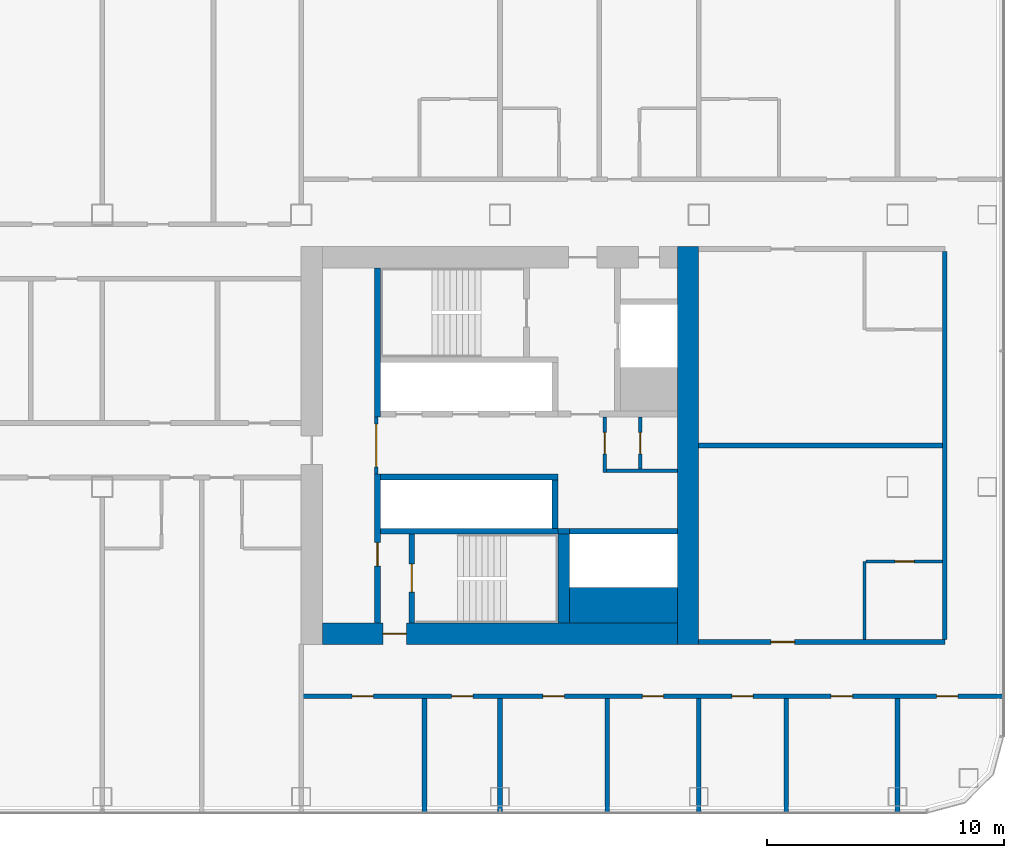
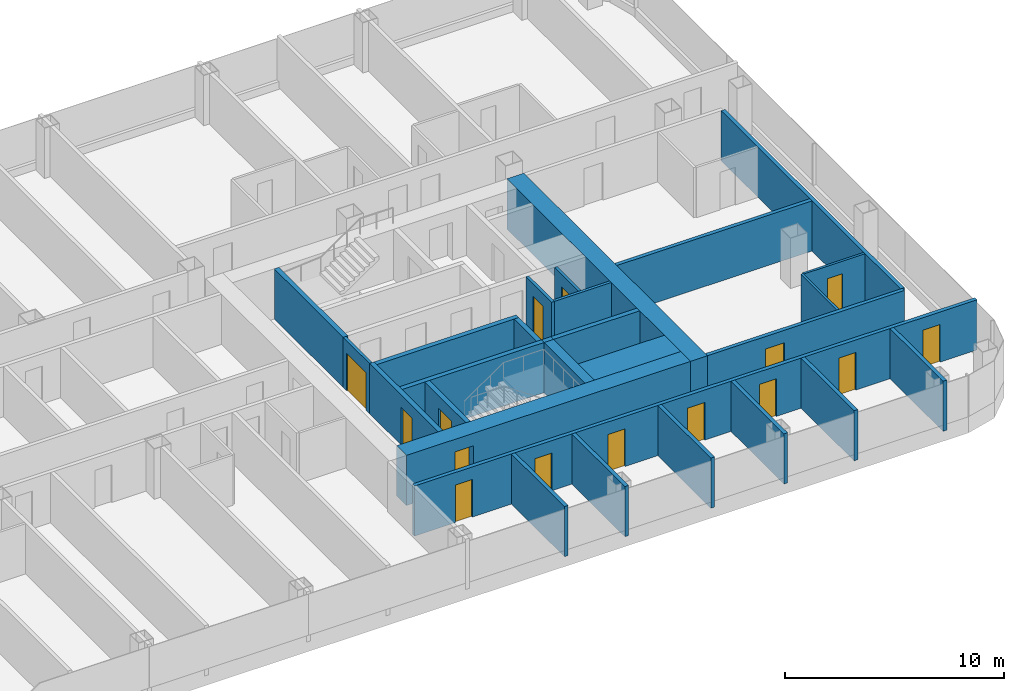
# One storey, part 19 of 29: 28 walls, 15 doors, 15 openings.
"""IFC4 building model written with IfcOpenShell, lengths in metres."""

from ifc_helpers import new_model, si_unit, direction, frame, frame_2d, origin, place, context, subcontext, project, spatial, rectangle, extrude, material, layer, layer_set, type_object, element, fill, save


model = new_model("IFC4")

# Units and contexts
model_context = context("Model", 3, precision=1e-05, world=origin(), true_north=direction((0.0, 1.0)))
body_context = subcontext(model_context, "Body", "Model", "MODEL_VIEW")
ifc_project = project(units=[si_unit("LENGTHUNIT", "METRE"), si_unit("AREAUNIT", "SQUARE_METRE"), si_unit("VOLUMEUNIT", "CUBIC_METRE"), si_unit("PLANEANGLEUNIT", "RADIAN"), si_unit("MASSUNIT", "GRAM", prefix="KILO")], contexts=[model_context])

# Site, building, storey
site_placement = place(None, origin())
site = spatial("IfcSite", under=ifc_project, at=site_placement, CompositionType="ELEMENT")
building_placement = place(site_placement, origin())
building = spatial("IfcBuilding", under=site, at=building_placement, Name="Hakoniwa Tower and Hamabe Station Hall", CompositionType="ELEMENT")
storey_placement = place(building_placement, frame((0.0, 0.0, 97.800048828125)))
storey = spatial("IfcBuildingStorey", under=building, at=storey_placement, Name="L27", CompositionType="ELEMENT", Elevation=97.800048828125)

# Wall, opening, door
ifc_material_1 = material(Name="Gypsum board partition", Category="gypsum")
ifc_layer_1 = layer(ifc_material_1, 0.125)
ifc_layer_set_1 = layer_set([ifc_layer_1], Name="Bathroom Partition 125")
wall_type_1 = type_object("IfcWallType", Name="Bathroom Partition 125", PredefinedType="PARTITIONING", material=ifc_layer_set_1)
wall_1_placement = place(storey_placement, frame((40.66259765625, -4.89990234375, 0.0), z_axis=(0.0, 0.0, 1.0), x_axis=(1.0, 0.0, 0.0)))
wall_1 = element("IfcWall", 1, at=wall_1_placement, inside=storey, type_object=wall_type_1, Name="GW-L27-006", PredefinedType="PARTITIONING", context=body_context, shape_type="SweptSolid", body=[
    extrude(rectangle(XDim=3.2373046875, YDim=0.125, at=frame_2d((1.61865234375, 0.0))), origin(), (0.0, 0.0, 1.0), 2.800048828125),
])
opening_1_placement = place(wall_1_placement, frame((1.237548828125, 0.0, 0.0)))
opening_1 = element("IfcOpeningElement", 2, at=opening_1_placement, cuts=wall_1, Name="Opening GD-G2C1-18", PredefinedType="OPENING", context=body_context, shape_type="SweptSolid", body=[
    extrude(rectangle(XDim=0.800048828125, YDim=2.10009765625, at=frame_2d((0.39990234375, 1.050048828125))), frame((0.0, 0.072509765625, 0.0), z_axis=(0.0, -1.0, 0.0), x_axis=(1.0, 0.0, 0.0)), (0.0, 0.0, 1.0), 0.14501953125),
])
ifc_material_2 = material(Name="Timber door leaf", Category="wood")
door_type_1 = type_object("IfcDoorType", Name="Bathroom Door 800", OperationType="SINGLE_SWING_LEFT", PredefinedType="DOOR", material=ifc_material_2)
door_1_placement = place(opening_1_placement, origin())
door_1 = element("IfcDoor", 3, at=door_1_placement, inside=storey, type_object=door_type_1, Name="Door GD-G2C1-18", OperationType="SINGLE_SWING_LEFT", OverallHeight=2.10009765625, OverallWidth=0.800048828125, PredefinedType="DOOR", context=body_context, shape_type="SweptSolid", body=[
    extrude(rectangle(XDim=0.800048828125, YDim=2.10009765625, at=frame_2d((0.39990234375, 1.050048828125))), frame((0.0, 0.02490234375, 0.0), z_axis=(0.0, -1.0, 0.0), x_axis=(1.0, 0.0, 0.0)), (0.0, 0.0, 1.0), 0.050048828125),
])
fill(opening_1, door_1)

# Wall
wall_2_placement = place(storey_placement, frame((40.60009765625, -8.199951171875, 0.0), z_axis=(0.0, 0.0, 1.0), x_axis=(0.0, 1.0, 0.0)))
element("IfcWall", 4, at=wall_2_placement, inside=storey, type_object=wall_type_1, Name="GW-L27-099", PredefinedType="PARTITIONING", context=body_context, shape_type="SweptSolid", body=[
    extrude(rectangle(XDim=3.300048828125, YDim=0.125, at=frame_2d((1.64990234375, 0.0))), origin(), (0.0, 0.0, 1.0), 2.800048828125),
])

# Wall, opening, door
ifc_material_3 = material(Name="Gypsum board partition")
ifc_layer_2 = layer(ifc_material_3, 0.14990234375)
ifc_layer_set_2 = layer_set([ifc_layer_2], Name="CORE PARTITION 150 EI 60")
wall_type_2 = type_object("IfcWallType", Name="CORE PARTITION 150 EI 60", PredefinedType="PARTITIONING", material=ifc_layer_set_2)
wall_3_placement = place(storey_placement, frame((19.97509765625, -1.199951171875, 0.0), z_axis=(0.0, 0.0, 1.0), x_axis=(0.0, 1.0, 0.0)))
wall_3 = element("IfcWall", 5, at=wall_3_placement, inside=storey, type_object=wall_type_2, Name="Core partition PL0 east", PredefinedType="PARTITIONING", context=body_context, shape_type="SweptSolid", body=[
    extrude(rectangle(XDim=2.39990234375, YDim=0.14990234375, at=frame_2d((1.199951171875, 0.0))), origin(), (0.0, 0.0, 1.0), 2.800048828125),
])
opening_2_placement = place(wall_3_placement, frame((0.300048828125, 0.0, 0.0)))
opening_2 = element("IfcOpeningElement", 6, at=opening_2_placement, cuts=wall_3, Name="Opening CD-E-LP0-18", PredefinedType="OPENING", context=body_context, shape_type="SweptSolid", body=[
    extrude(rectangle(XDim=1.800048828125, YDim=2.10009765625, at=frame_2d((0.89990234375, 1.050048828125))), frame((0.0, 0.0849609375, 0.0), z_axis=(0.0, -1.0, 0.0), x_axis=(1.0, 0.0, 0.0)), (0.0, 0.0, 1.0), 0.169921875),
])
ifc_material_4 = material(Name="Steel fire door", Category="steel")
door_type_2 = type_object("IfcDoorType", Name="CORE DOOR 1800 FD60", OperationType="DOUBLE_DOOR_SINGLE_SWING", PredefinedType="DOOR", material=ifc_material_4)
door_2_placement = place(opening_2_placement, origin())
door_2 = element("IfcDoor", 7, at=door_2_placement, inside=storey, type_object=door_type_2, Name="Lift lobby partition door", OperationType="DOUBLE_DOOR_SINGLE_SWING", OverallHeight=2.10009765625, OverallWidth=1.800048828125, PredefinedType="DOOR", context=body_context, shape_type="SweptSolid", body=[
    extrude(rectangle(XDim=1.800048828125, YDim=2.10009765625, at=frame_2d((0.89990234375, 1.050048828125))), frame((0.0, 0.02490234375, 0.0), z_axis=(0.0, -1.0, 0.0), x_axis=(1.0, 0.0, 0.0)), (0.0, 0.0, 1.0), 0.050048828125),
])
fill(opening_2, door_2)

wall_4_placement = place(storey_placement, frame((29.625, -1.14990234375, 0.0), z_axis=(0.0, 0.0, 1.0), x_axis=(0.0, 1.0, 0.0)))
wall_4 = element("IfcWall", 8, at=wall_4_placement, inside=storey, type_object=wall_type_2, Name="Core partition PW0 east", PredefinedType="PARTITIONING", context=body_context, shape_type="SweptSolid", body=[
    extrude(rectangle(XDim=2.349853515625, YDim=0.14990234375, at=frame_2d((1.1748046875, 0.0))), origin(), (0.0, 0.0, 1.0), 2.800048828125),
])
opening_3_placement = place(wall_4_placement, frame((0.800048828125, 0.0, 0.0)))
opening_3 = element("IfcOpeningElement", 9, at=opening_3_placement, cuts=wall_4, Name="Opening CD-E-RM1-9", PredefinedType="OPENING", context=body_context, shape_type="SweptSolid", body=[
    extrude(rectangle(XDim=0.89990234375, YDim=2.10009765625, at=frame_2d((0.449951171875, 1.050048828125))), frame((0.0, 0.0849609375, 0.0), z_axis=(0.0, -1.0, 0.0), x_axis=(1.0, 0.0, 0.0)), (0.0, 0.0, 1.0), 0.169921875),
])
ifc_material_5 = material(Name="Steel fire door", Category="steel")
door_type_3 = type_object("IfcDoorType", Name="CORE DOOR 900 FD30", OperationType="NOTDEFINED", PredefinedType="DOOR", material=ifc_material_5)
door_3_placement = place(opening_3_placement, origin())
door_3 = element("IfcDoor", 10, at=door_3_placement, inside=storey, type_object=door_type_3, Name="Store room door", OperationType="SINGLE_SWING_LEFT", OverallHeight=2.10009765625, OverallWidth=0.89990234375, PredefinedType="DOOR", context=body_context, shape_type="SweptSolid", body=[
    extrude(rectangle(XDim=0.89990234375, YDim=2.10009765625, at=frame_2d((0.449951171875, 1.050048828125))), frame((0.0, 0.02490234375, 0.0), z_axis=(0.0, -1.0, 0.0), x_axis=(1.0, 0.0, 0.0)), (0.0, 0.0, 1.0), 0.050048828125),
])
fill(opening_3, door_3)

# Wall
wall_5_placement = place(storey_placement, frame((29.699951171875, -1.074951171875, 0.0), z_axis=(0.0, 0.0, 1.0), x_axis=(1.0, 0.0, 0.0)))
element("IfcWall", 11, at=wall_5_placement, inside=storey, type_object=wall_type_2, Name="Core partition PS east", PredefinedType="PARTITIONING", context=body_context, shape_type="SweptSolid", body=[
    extrude(rectangle(XDim=3.0, YDim=0.14990234375, at=frame_2d((1.5, 0.0))), origin(), (0.0, 0.0, 1.0), 2.800048828125),
])

# Wall, opening, door
wall_6_placement = place(storey_placement, frame((31.125, -1.0, 0.0), z_axis=(0.0, 0.0, 1.0), x_axis=(0.0, 1.0, 0.0)))
wall_6 = element("IfcWall", 12, at=wall_6_placement, inside=storey, type_object=wall_type_2, Name="Core partition PW1 east", PredefinedType="PARTITIONING", context=body_context, shape_type="SweptSolid", body=[
    extrude(rectangle(XDim=2.199951171875, YDim=0.14990234375, at=frame_2d((1.10009765625, 0.0))), origin(), (0.0, 0.0, 1.0), 2.800048828125),
])
opening_4_placement = place(wall_6_placement, frame((0.64990234375, 0.0, 0.0)))
opening_4 = element("IfcOpeningElement", 13, at=opening_4_placement, cuts=wall_6, Name="Opening CD-E-RM2-9", PredefinedType="OPENING", context=body_context, shape_type="SweptSolid", body=[
    extrude(rectangle(XDim=0.89990234375, YDim=2.10009765625, at=frame_2d((0.449951171875, 1.050048828125))), frame((0.0, 0.0849609375, 0.0), z_axis=(0.0, -1.0, 0.0), x_axis=(1.0, 0.0, 0.0)), (0.0, 0.0, 1.0), 0.169921875),
])
door_4_placement = place(opening_4_placement, origin())
door_4 = element("IfcDoor", 14, at=door_4_placement, inside=storey, type_object=door_type_3, Name="Store room door", OperationType="SINGLE_SWING_LEFT", OverallHeight=2.10009765625, OverallWidth=0.89990234375, PredefinedType="DOOR", context=body_context, shape_type="SweptSolid", body=[
    extrude(rectangle(XDim=0.89990234375, YDim=2.10009765625, at=frame_2d((0.449951171875, 1.050048828125))), frame((0.0, 0.02490234375, 0.0), z_axis=(0.0, -1.0, 0.0), x_axis=(1.0, 0.0, 0.0)), (0.0, 0.0, 1.0), 0.050048828125),
])
fill(opening_4, door_4)

# Wall
ifc_material_6 = material(Name="Concrete C72", Category="concrete")
ifc_layer_3 = layer(ifc_material_6, 0.89990234375)
ifc_layer_set_3 = layer_set([ifc_layer_3], Name="CORE WALL 900 C72")
wall_type_3 = type_object("IfcWallType", Name="CORE WALL 900 C72", PredefinedType="SHEAR", material=ifc_layer_set_3)
wall_7_placement = place(storey_placement, frame((33.14990234375, -8.39990234375, 0.0), z_axis=(0.0, 0.0, 1.0), x_axis=(0.0, 1.0, 0.0)))
element("IfcWall", 15, at=wall_7_placement, inside=storey, type_object=wall_type_3, Name="Core wall OUTER east", PredefinedType="SHEAR", context=body_context, shape_type="SweptSolid", body=[
    extrude(rectangle(XDim=16.7998046875, YDim=0.89990234375, at=frame_2d((8.39990234375, 0.0))), origin(), (0.0, 0.0, 1.0), 2.800048828125),
])

# Wall, opening, door
wall_8_placement = place(storey_placement, frame((17.699951171875, -7.949951171875, 0.0), z_axis=(0.0, 0.0, 1.0), x_axis=(1.0, 0.0, 0.0)))
wall_8 = element("IfcWall", 16, at=wall_8_placement, inside=storey, type_object=wall_type_3, Name="Core wall SOUTH east", PredefinedType="SHEAR", context=body_context, shape_type="SweptSolid", body=[
    extrude(rectangle(XDim=15.0, YDim=0.89990234375, at=frame_2d((7.5, 0.0))), origin(), (0.0, 0.0, 1.0), 2.800048828125),
])
opening_5_placement = place(wall_8_placement, frame((2.550048828125, 0.0, 0.0)))
opening_5 = element("IfcOpeningElement", 17, at=opening_5_placement, cuts=wall_8, Name="Opening CD-E-FS3-10", PredefinedType="OPENING", context=body_context, shape_type="SweptSolid", body=[
    extrude(rectangle(XDim=1.0, YDim=2.10009765625, at=frame_2d((0.5, 1.050048828125))), frame((0.0, 0.4599609375, 0.0), z_axis=(0.0, -1.0, 0.0), x_axis=(1.0, 0.0, 0.0)), (0.0, 0.0, 1.0), 0.919921875),
])
ifc_material_7 = material(Name="Steel fire door", Category="steel")
door_type_4 = type_object("IfcDoorType", Name="CORE DOOR 1000 FD60", OperationType="NOTDEFINED", PredefinedType="DOOR", material=ifc_material_7)
door_5_placement = place(opening_5_placement, origin())
door_5 = element("IfcDoor", 18, at=door_5_placement, inside=storey, type_object=door_type_4, Name="Stair vestibule door", OperationType="SINGLE_SWING_LEFT", OverallHeight=2.10009765625, OverallWidth=1.0, PredefinedType="DOOR", context=body_context, shape_type="SweptSolid", body=[
    extrude(rectangle(XDim=1.0, YDim=2.10009765625, at=frame_2d((0.5, 1.050048828125))), frame((0.0, 0.02490234375, 0.0), z_axis=(0.0, -1.0, 0.0), x_axis=(1.0, 0.0, 0.0)), (0.0, 0.0, 1.0), 0.050048828125),
])
fill(opening_5, door_5)

# Walls
ifc_material_8 = material(Name="Concrete C72", Category="concrete")
ifc_layer_4 = layer(ifc_material_8, 1.5)
ifc_layer_set_4 = layer_set([ifc_layer_4], Name="CORE WEB WALL 1500 C72")
wall_type_4 = type_object("IfcWallType", Name="CORE WEB WALL 1500 C72", PredefinedType="SHEAR", material=ifc_layer_set_4)
wall_9_placement = place(storey_placement, frame((28.14990234375, -6.75, 0.0), z_axis=(0.0, 0.0, 1.0), x_axis=(1.0, 0.0, 0.0)))
element("IfcWall", 19, at=wall_9_placement, inside=storey, type_object=wall_type_4, Name="Core wall SER east", PredefinedType="SHEAR", context=body_context, shape_type="SweptSolid", body=[
    extrude(rectangle(XDim=4.550048828125, YDim=1.5, at=frame_2d((2.27490234375, 0.0))), origin(), (0.0, 0.0, 1.0), 2.800048828125),
])
ifc_material_9 = material(Name="Concrete C72", Category="concrete")
ifc_layer_5 = layer(ifc_material_9, 0.25)
ifc_layer_set_5 = layer_set([ifc_layer_5], Name="CORE WEB WALL 250 C72")
wall_type_5 = type_object("IfcWallType", Name="CORE WEB WALL 250 C72", PredefinedType="SHEAR", material=ifc_layer_set_5)
wall_10_placement = place(storey_placement, frame((20.02490234375, 1.199951171875, 0.0), z_axis=(0.0, 0.0, 1.0), x_axis=(0.0, 1.0, 0.0)))
element("IfcWall", 20, at=wall_10_placement, inside=storey, type_object=wall_type_5, Name="Core wall W1N east", PredefinedType="SHEAR", context=body_context, shape_type="SweptSolid", body=[
    extrude(rectangle(XDim=6.300048828125, YDim=0.25, at=frame_2d((3.14990234375, 0.0))), origin(), (0.0, 0.0, 1.0), 2.800048828125),
])

# Wall, opening, door
wall_11_placement = place(storey_placement, frame((20.02490234375, -7.5, 0.0), z_axis=(0.0, 0.0, 1.0), x_axis=(0.0, 1.0, 0.0)))
wall_11 = element("IfcWall", 21, at=wall_11_placement, inside=storey, type_object=wall_type_5, Name="Core wall W1S east", PredefinedType="SHEAR", context=body_context, shape_type="SweptSolid", body=[
    extrude(rectangle(XDim=6.300048828125, YDim=0.25, at=frame_2d((3.14990234375, 0.0))), origin(), (0.0, 0.0, 1.0), 2.800048828125),
])
opening_6_placement = place(wall_11_placement, frame((2.39990234375, 0.0, 0.0)))
opening_6 = element("IfcOpeningElement", 22, at=opening_6_placement, cuts=wall_11, Name="Opening CD-E-VS-10", PredefinedType="OPENING", context=body_context, shape_type="SweptSolid", body=[
    extrude(rectangle(XDim=1.0, YDim=2.10009765625, at=frame_2d((0.5, 1.050048828125))), frame((0.0, 0.135009765625, 0.0), z_axis=(0.0, -1.0, 0.0), x_axis=(1.0, 0.0, 0.0)), (0.0, 0.0, 1.0), 0.27001953125),
])
door_6_placement = place(opening_6_placement, origin())
door_6 = element("IfcDoor", 23, at=door_6_placement, inside=storey, type_object=door_type_4, Name="Stair vestibule door", OperationType="SINGLE_SWING_RIGHT", OverallHeight=2.10009765625, OverallWidth=1.0, PredefinedType="DOOR", context=body_context, shape_type="SweptSolid", body=[
    extrude(rectangle(XDim=1.0, YDim=2.10009765625, at=frame_2d((0.5, 1.050048828125))), frame((0.0, 0.02490234375, 0.0), z_axis=(0.0, -1.0, 0.0), x_axis=(1.0, 0.0, 0.0)), (0.0, 0.0, 1.0), 0.050048828125),
])
fill(opening_6, door_6)

# Walls
wall_12_placement = place(storey_placement, frame((20.14990234375, -1.324951171875, 0.0), z_axis=(0.0, 0.0, 1.0), x_axis=(1.0, 0.0, 0.0)))
element("IfcWall", 24, at=wall_12_placement, inside=storey, type_object=wall_type_5, Name="Core wall SF east", PredefinedType="SHEAR", context=body_context, shape_type="SweptSolid", body=[
    extrude(rectangle(XDim=7.5, YDim=0.25, at=frame_2d((3.75, 0.0))), origin(), (0.0, 0.0, 1.0), 2.800048828125),
])
wall_13_placement = place(storey_placement, frame((27.52490234375, -3.5, 0.0), z_axis=(0.0, 0.0, 1.0), x_axis=(0.0, 1.0, 0.0)))
element("IfcWall", 25, at=wall_13_placement, inside=storey, type_object=wall_type_5, Name="Core wall SE east", PredefinedType="SHEAR", context=body_context, shape_type="SweptSolid", body=[
    extrude(rectangle(XDim=2.050048828125, YDim=0.25, at=frame_2d((1.02490234375, 0.0))), origin(), (0.0, 0.0, 1.0), 2.800048828125),
])
wall_14_placement = place(storey_placement, frame((20.14990234375, -3.625, 0.0), z_axis=(0.0, 0.0, 1.0), x_axis=(1.0, 0.0, 0.0)))
element("IfcWall", 26, at=wall_14_placement, inside=storey, type_object=wall_type_5, Name="Core wall SR east", PredefinedType="SHEAR", context=body_context, shape_type="SweptSolid", body=[
    extrude(rectangle(XDim=7.5, YDim=0.25, at=frame_2d((3.75, 0.0))), origin(), (0.0, 0.0, 1.0), 2.800048828125),
])

# Wall, opening, door
wall_15_placement = place(storey_placement, frame((21.47509765625, -7.5, 0.0), z_axis=(0.0, 0.0, 1.0), x_axis=(0.0, 1.0, 0.0)))
wall_15 = element("IfcWall", 27, at=wall_15_placement, inside=storey, type_object=wall_type_5, Name="Core wall VE east", PredefinedType="SHEAR", context=body_context, shape_type="SweptSolid", body=[
    extrude(rectangle(XDim=3.75, YDim=0.25, at=frame_2d((1.875, 0.0))), origin(), (0.0, 0.0, 1.0), 2.800048828125),
])
opening_7_placement = place(wall_15_placement, frame((1.300048828125, 0.0, 0.0)))
opening_7 = element("IfcOpeningElement", 28, at=opening_7_placement, cuts=wall_15, Name="Opening CD-E-SS-12", PredefinedType="OPENING", context=body_context, shape_type="SweptSolid", body=[
    extrude(rectangle(XDim=1.199951171875, YDim=2.10009765625, at=frame_2d((0.60009765625, 1.050048828125))), frame((0.0, 0.135009765625, 0.0), z_axis=(0.0, -1.0, 0.0), x_axis=(1.0, 0.0, 0.0)), (0.0, 0.0, 1.0), 0.27001953125),
])
ifc_material_10 = material(Name="Steel fire door", Category="steel")
door_type_5 = type_object("IfcDoorType", Name="CORE DOOR 1200 FD60", OperationType="DOUBLE_DOOR_SINGLE_SWING", PredefinedType="DOOR", material=ifc_material_10)
door_7_placement = place(opening_7_placement, origin())
door_7 = element("IfcDoor", 29, at=door_7_placement, inside=storey, type_object=door_type_5, Name="Escape stair door", OperationType="DOUBLE_DOOR_SINGLE_SWING", OverallHeight=2.10009765625, OverallWidth=1.199951171875, PredefinedType="DOOR", context=body_context, shape_type="SweptSolid", body=[
    extrude(rectangle(XDim=1.199951171875, YDim=2.10009765625, at=frame_2d((0.60009765625, 1.050048828125))), frame((0.0, 0.02490234375, 0.0), z_axis=(0.0, -1.0, 0.0), x_axis=(1.0, 0.0, 0.0)), (0.0, 0.0, 1.0), 0.050048828125),
])
fill(opening_7, door_7)

# Walls
wall_16_placement = place(storey_placement, frame((28.14990234375, -3.625, 0.0), z_axis=(0.0, 0.0, 1.0), x_axis=(1.0, 0.0, 0.0)))
element("IfcWall", 30, at=wall_16_placement, inside=storey, type_object=wall_type_5, Name="Core wall SEF east", PredefinedType="SHEAR", context=body_context, shape_type="SweptSolid", body=[
    extrude(rectangle(XDim=4.550048828125, YDim=0.25, at=frame_2d((2.27490234375, 0.0))), origin(), (0.0, 0.0, 1.0), 2.800048828125),
])
wall_17_placement = place(storey_placement, frame((27.64990234375, -3.625, 0.0), z_axis=(0.0, 0.0, 1.0), x_axis=(1.0, 0.0, 0.0)))
element("IfcWall", 31, at=wall_17_placement, inside=storey, type_object=wall_type_5, Name="Core wall SRK east", PredefinedType="SHEAR", context=body_context, shape_type="SweptSolid", body=[
    extrude(rectangle(XDim=0.5, YDim=0.25, at=frame_2d((0.25, 0.0))), origin(), (0.0, 0.0, 1.0), 2.800048828125),
])
ifc_material_11 = material(Name="Concrete C72", Category="concrete")
ifc_layer_6 = layer(ifc_material_11, 0.5)
ifc_layer_set_6 = layer_set([ifc_layer_6], Name="CORE WEB WALL 500 C72")
wall_type_6 = type_object("IfcWallType", Name="CORE WEB WALL 500 C72", PredefinedType="SHEAR", material=ifc_layer_set_6)
wall_18_placement = place(storey_placement, frame((27.89990234375, -7.5, 0.0), z_axis=(0.0, 0.0, 1.0), x_axis=(0.0, 1.0, 0.0)))
element("IfcWall", 32, at=wall_18_placement, inside=storey, type_object=wall_type_6, Name="Core wall SSE east", PredefinedType="SHEAR", context=body_context, shape_type="SweptSolid", body=[
    extrude(rectangle(XDim=3.75, YDim=0.5, at=frame_2d((1.875, 0.0))), origin(), (0.0, 0.0, 1.0), 2.800048828125),
])

# Wall, openings, doors
ifc_material_12 = material(Name="Fire-rated gypsum board partition", Category="gypsum")
ifc_layer_7 = layer(ifc_material_12, 0.199951171875)
ifc_layer_set_7 = layer_set([ifc_layer_7], Name="Corridor Wall 200")
wall_type_7 = type_object("IfcWallType", Name="Corridor Wall 200", PredefinedType="PARTITIONING", material=ifc_layer_set_7)
wall_19_placement = place(storey_placement, frame((16.800048828125, -10.60009765625, 0.0), z_axis=(0.0, 0.0, 1.0), x_axis=(1.0, 0.0, 0.0)))
wall_19 = element("IfcWall", 33, at=wall_19_placement, inside=storey, type_object=wall_type_7, Name="GW-L27-002", PredefinedType="PARTITIONING", context=body_context, shape_type="SweptSolid", body=[
    extrude(rectangle(XDim=29.699951171875, YDim=0.199951171875, at=frame_2d((14.85009765625, 0.0))), origin(), (0.0, 0.0, 1.0), 2.800048828125),
])
opening_8_placement = place(wall_19_placement, frame((2.155029296875, 0.0, 0.0)))
opening_8 = element("IfcOpeningElement", 34, at=opening_8_placement, cuts=wall_19, Name="Opening GD-G2C1-08", PredefinedType="OPENING", context=body_context, shape_type="SweptSolid", body=[
    extrude(rectangle(XDim=0.89990234375, YDim=2.10009765625, at=frame_2d((0.449951171875, 1.050048828125))), frame((0.0, 0.10986328125, 0.0), z_axis=(0.0, -1.0, 0.0), x_axis=(1.0, 0.0, 0.0)), (0.0, 0.0, 1.0), 0.219970703125),
])
opening_9_placement = place(wall_19_placement, frame((6.35498046875, 0.0, 0.0)))
opening_9 = element("IfcOpeningElement", 35, at=opening_9_placement, cuts=wall_19, Name="Opening GD-G2C1-09", PredefinedType="OPENING", context=body_context, shape_type="SweptSolid", body=[
    extrude(rectangle(XDim=0.89990234375, YDim=2.10009765625, at=frame_2d((0.449951171875, 1.050048828125))), frame((0.0, 0.10986328125, 0.0), z_axis=(0.0, -1.0, 0.0), x_axis=(1.0, 0.0, 0.0)), (0.0, 0.0, 1.0), 0.219970703125),
])
opening_10_placement = place(wall_19_placement, frame((10.219970703125, 0.0, 0.0)))
opening_10 = element("IfcOpeningElement", 36, at=opening_10_placement, cuts=wall_19, Name="Opening GD-G2C1-10", PredefinedType="OPENING", context=body_context, shape_type="SweptSolid", body=[
    extrude(rectangle(XDim=0.89990234375, YDim=2.10009765625, at=frame_2d((0.449951171875, 1.050048828125))), frame((0.0, 0.10986328125, 0.0), z_axis=(0.0, -1.0, 0.0), x_axis=(1.0, 0.0, 0.0)), (0.0, 0.0, 1.0), 0.219970703125),
])
opening_11_placement = place(wall_19_placement, frame((14.419921875, 0.0, 0.0)))
opening_11 = element("IfcOpeningElement", 37, at=opening_11_placement, cuts=wall_19, Name="Opening GD-G2C1-11", PredefinedType="OPENING", context=body_context, shape_type="SweptSolid", body=[
    extrude(rectangle(XDim=0.89990234375, YDim=2.10009765625, at=frame_2d((0.449951171875, 1.050048828125))), frame((0.0, 0.10986328125, 0.0), z_axis=(0.0, -1.0, 0.0), x_axis=(1.0, 0.0, 0.0)), (0.0, 0.0, 1.0), 0.219970703125),
])
opening_12_placement = place(wall_19_placement, frame((18.199951171875, 0.0, 0.0)))
opening_12 = element("IfcOpeningElement", 38, at=opening_12_placement, cuts=wall_19, Name="Opening GD-G2C1-12", PredefinedType="OPENING", context=body_context, shape_type="SweptSolid", body=[
    extrude(rectangle(XDim=0.89990234375, YDim=2.10009765625, at=frame_2d((0.449951171875, 1.050048828125))), frame((0.0, 0.10986328125, 0.0), z_axis=(0.0, -1.0, 0.0), x_axis=(1.0, 0.0, 0.0)), (0.0, 0.0, 1.0), 0.219970703125),
])
opening_13_placement = place(wall_19_placement, frame((22.39990234375, 0.0, 0.0)))
opening_13 = element("IfcOpeningElement", 39, at=opening_13_placement, cuts=wall_19, Name="Opening GD-G2C1-13", PredefinedType="OPENING", context=body_context, shape_type="SweptSolid", body=[
    extrude(rectangle(XDim=0.89990234375, YDim=2.10009765625, at=frame_2d((0.449951171875, 1.050048828125))), frame((0.0, 0.10986328125, 0.0), z_axis=(0.0, -1.0, 0.0), x_axis=(1.0, 0.0, 0.0)), (0.0, 0.0, 1.0), 0.219970703125),
])
opening_14_placement = place(wall_19_placement, frame((26.85009765625, 0.0, 0.0)))
opening_14 = element("IfcOpeningElement", 40, at=opening_14_placement, cuts=wall_19, Name="Opening GD-G2C1-14", PredefinedType="OPENING", context=body_context, shape_type="SweptSolid", body=[
    extrude(rectangle(XDim=0.89990234375, YDim=2.10009765625, at=frame_2d((0.449951171875, 1.050048828125))), frame((0.0, 0.10986328125, 0.0), z_axis=(0.0, -1.0, 0.0), x_axis=(1.0, 0.0, 0.0)), (0.0, 0.0, 1.0), 0.219970703125),
])
ifc_material_13 = material(Name="Timber door leaf", Category="wood")
door_type_6 = type_object("IfcDoorType", Name="Service Door 900", OperationType="SINGLE_SWING_LEFT", PredefinedType="DOOR", material=ifc_material_13)
door_8_placement = place(opening_8_placement, origin())
door_8 = element("IfcDoor", 41, at=door_8_placement, inside=storey, type_object=door_type_6, Name="Door GD-G2C1-08", OperationType="SINGLE_SWING_RIGHT", OverallHeight=2.10009765625, OverallWidth=0.89990234375, PredefinedType="DOOR", context=body_context, shape_type="SweptSolid", body=[
    extrude(rectangle(XDim=0.89990234375, YDim=2.10009765625, at=frame_2d((0.449951171875, 1.050048828125))), frame((0.0, 0.02490234375, 0.0), z_axis=(0.0, -1.0, 0.0), x_axis=(1.0, 0.0, 0.0)), (0.0, 0.0, 1.0), 0.050048828125),
])
fill(opening_8, door_8)
door_9_placement = place(opening_9_placement, origin())
door_9 = element("IfcDoor", 42, at=door_9_placement, inside=storey, type_object=door_type_6, Name="Door GD-G2C1-09", OperationType="SINGLE_SWING_LEFT", OverallHeight=2.10009765625, OverallWidth=0.89990234375, PredefinedType="DOOR", context=body_context, shape_type="SweptSolid", body=[
    extrude(rectangle(XDim=0.89990234375, YDim=2.10009765625, at=frame_2d((0.449951171875, 1.050048828125))), frame((0.0, 0.02490234375, 0.0), z_axis=(0.0, -1.0, 0.0), x_axis=(1.0, 0.0, 0.0)), (0.0, 0.0, 1.0), 0.050048828125),
])
fill(opening_9, door_9)
door_10_placement = place(opening_10_placement, origin())
door_10 = element("IfcDoor", 43, at=door_10_placement, inside=storey, type_object=door_type_6, Name="Door GD-G2C1-10", OperationType="SINGLE_SWING_LEFT", OverallHeight=2.10009765625, OverallWidth=0.89990234375, PredefinedType="DOOR", context=body_context, shape_type="SweptSolid", body=[
    extrude(rectangle(XDim=0.89990234375, YDim=2.10009765625, at=frame_2d((0.449951171875, 1.050048828125))), frame((0.0, 0.02490234375, 0.0), z_axis=(0.0, -1.0, 0.0), x_axis=(1.0, 0.0, 0.0)), (0.0, 0.0, 1.0), 0.050048828125),
])
fill(opening_10, door_10)
door_11_placement = place(opening_11_placement, origin())
door_11 = element("IfcDoor", 44, at=door_11_placement, inside=storey, type_object=door_type_6, Name="Door GD-G2C1-11", OperationType="SINGLE_SWING_RIGHT", OverallHeight=2.10009765625, OverallWidth=0.89990234375, PredefinedType="DOOR", context=body_context, shape_type="SweptSolid", body=[
    extrude(rectangle(XDim=0.89990234375, YDim=2.10009765625, at=frame_2d((0.449951171875, 1.050048828125))), frame((0.0, 0.02490234375, 0.0), z_axis=(0.0, -1.0, 0.0), x_axis=(1.0, 0.0, 0.0)), (0.0, 0.0, 1.0), 0.050048828125),
])
fill(opening_11, door_11)
door_12_placement = place(opening_12_placement, origin())
door_12 = element("IfcDoor", 45, at=door_12_placement, inside=storey, type_object=door_type_6, Name="Door GD-G2C1-12", OperationType="SINGLE_SWING_LEFT", OverallHeight=2.10009765625, OverallWidth=0.89990234375, PredefinedType="DOOR", context=body_context, shape_type="SweptSolid", body=[
    extrude(rectangle(XDim=0.89990234375, YDim=2.10009765625, at=frame_2d((0.449951171875, 1.050048828125))), frame((0.0, 0.02490234375, 0.0), z_axis=(0.0, -1.0, 0.0), x_axis=(1.0, 0.0, 0.0)), (0.0, 0.0, 1.0), 0.050048828125),
])
fill(opening_12, door_12)
door_13_placement = place(opening_13_placement, origin())
door_13 = element("IfcDoor", 46, at=door_13_placement, inside=storey, type_object=door_type_6, Name="Door GD-G2C1-13", OperationType="SINGLE_SWING_RIGHT", OverallHeight=2.10009765625, OverallWidth=0.89990234375, PredefinedType="DOOR", context=body_context, shape_type="SweptSolid", body=[
    extrude(rectangle(XDim=0.89990234375, YDim=2.10009765625, at=frame_2d((0.449951171875, 1.050048828125))), frame((0.0, 0.02490234375, 0.0), z_axis=(0.0, -1.0, 0.0), x_axis=(1.0, 0.0, 0.0)), (0.0, 0.0, 1.0), 0.050048828125),
])
fill(opening_13, door_13)
door_14_placement = place(opening_14_placement, origin())
door_14 = element("IfcDoor", 47, at=door_14_placement, inside=storey, type_object=door_type_6, Name="Door GD-G2C1-14", OperationType="SINGLE_SWING_LEFT", OverallHeight=2.10009765625, OverallWidth=0.89990234375, PredefinedType="DOOR", context=body_context, shape_type="SweptSolid", body=[
    extrude(rectangle(XDim=0.89990234375, YDim=2.10009765625, at=frame_2d((0.449951171875, 1.050048828125))), frame((0.0, 0.02490234375, 0.0), z_axis=(0.0, -1.0, 0.0), x_axis=(1.0, 0.0, 0.0)), (0.0, 0.0, 1.0), 0.050048828125),
])
fill(opening_14, door_14)

# Wall, opening, door
wall_20_placement = place(storey_placement, frame((33.60009765625, -8.300048828125, 0.0), z_axis=(0.0, 0.0, 1.0), x_axis=(1.0, 0.0, 0.0)))
wall_20 = element("IfcWall", 48, at=wall_20_placement, inside=storey, type_object=wall_type_7, Name="GW-L27-004", PredefinedType="PARTITIONING", context=body_context, shape_type="SweptSolid", body=[
    extrude(rectangle(XDim=10.39990234375, YDim=0.199951171875, at=frame_2d((5.199951171875, 0.0))), origin(), (0.0, 0.0, 1.0), 2.800048828125),
])
opening_15_placement = place(wall_20_placement, frame((3.050048828125, 0.0, 0.0)))
opening_15 = element("IfcOpeningElement", 49, at=opening_15_placement, cuts=wall_20, Name="Opening GD-G2C1-16", PredefinedType="OPENING", context=body_context, shape_type="SweptSolid", body=[
    extrude(rectangle(XDim=1.0, YDim=2.10009765625, at=frame_2d((0.5, 1.050048828125))), frame((0.0, 0.10986328125, 0.0), z_axis=(0.0, -1.0, 0.0), x_axis=(1.0, 0.0, 0.0)), (0.0, 0.0, 1.0), 0.219970703125),
])
ifc_material_14 = material(Name="Timber door leaf", Category="wood")
door_type_7 = type_object("IfcDoorType", Name="Guest Entrance Door 1000", OperationType="SINGLE_SWING_LEFT", PredefinedType="DOOR", material=ifc_material_14)
door_15_placement = place(opening_15_placement, origin())
door_15 = element("IfcDoor", 50, at=door_15_placement, inside=storey, type_object=door_type_7, Name="Door GD-G2C1-16", OperationType="SINGLE_SWING_RIGHT", OverallHeight=2.10009765625, OverallWidth=1.0, PredefinedType="DOOR", context=body_context, shape_type="SweptSolid", body=[
    extrude(rectangle(XDim=1.0, YDim=2.10009765625, at=frame_2d((0.5, 1.050048828125))), frame((0.0, 0.02490234375, 0.0), z_axis=(0.0, -1.0, 0.0), x_axis=(1.0, 0.0, 0.0)), (0.0, 0.0, 1.0), 0.050048828125),
])
fill(opening_15, door_15)

# Walls
ifc_material_15 = material(Name="Fire-rated gypsum board partition", Category="gypsum")
ifc_layer_8 = layer(ifc_material_15, 0.199951171875)
ifc_layer_set_8 = layer_set([ifc_layer_8], Name="Party Wall 200")
wall_type_8 = type_object("IfcWallType", Name="Party Wall 200", PredefinedType="PARTITIONING", material=ifc_layer_set_8)
wall_21_placement = place(storey_placement, frame((33.60009765625, 0.0, 0.0), z_axis=(0.0, 0.0, 1.0), x_axis=(1.0, 0.0, 0.0)))
element("IfcWall", 51, at=wall_21_placement, inside=storey, type_object=wall_type_8, Name="GW-L27-014", PredefinedType="PARTITIONING", context=body_context, shape_type="SweptSolid", body=[
    extrude(rectangle(XDim=10.2998046875, YDim=0.199951171875, at=frame_2d((5.14990234375, 0.0))), origin(), (0.0, 0.0, 1.0), 2.800048828125),
])
for number, where, z_axis, x_axis, name in (
    (52, (22.010009765625, -15.550048828125, 0.0), (0.0, 0.0, 1.0), (0.0, 1.0, 0.0), "GW-L27-088"),
    (53, (25.199951171875, -15.550048828125, 0.0), (0.0, 0.0, 1.0), (0.0, 1.0, 0.0), "GW-L27-089"),
    (54, (29.739990234375, -15.550048828125, 0.0), (0.0, 0.0, 1.0), (0.0, 1.0, 0.0), "GW-L27-093"),
    (55, (33.60009765625, -15.550048828125, 0.0), (0.0, 0.0, 1.0), (0.0, 1.0, 0.0), "GW-L27-095"),
    (56, (37.300048828125, -15.550048828125, 0.0), (0.0, 0.0, 1.0), (0.0, 1.0, 0.0), "GW-L27-098"),
    (57, (42.0, -15.550048828125, 0.0), (0.0, 0.0, 1.0), (0.0, 1.0, 0.0), "GW-L27-101"),
):
    element("IfcWall", number, at=place(storey_placement, frame(where, z_axis=z_axis, x_axis=x_axis)), inside=storey, type_object=wall_type_8, Name=name, PredefinedType="PARTITIONING", context=body_context, shape_type="SweptSolid", body=[
        extrude(rectangle(XDim=4.85009765625, YDim=0.199951171875, at=frame_2d((2.425048828125, 0.0))), origin(), (0.0, 0.0, 1.0), 2.800048828125),
    ])
wall_22_placement = place(storey_placement, frame((44.0, -8.199951171875, 0.0), z_axis=(0.0, 0.0, 1.0), x_axis=(0.0, 1.0, 0.0)))
element("IfcWall", 58, at=wall_22_placement, inside=storey, type_object=wall_type_8, Name="GW-L27-103", PredefinedType="PARTITIONING", context=body_context, shape_type="SweptSolid", body=[
    extrude(rectangle(XDim=16.39990234375, YDim=0.199951171875, at=frame_2d((8.199951171875, 0.0))), origin(), (0.0, 0.0, 1.0), 2.800048828125),
])

save(model, "model.ifc")
